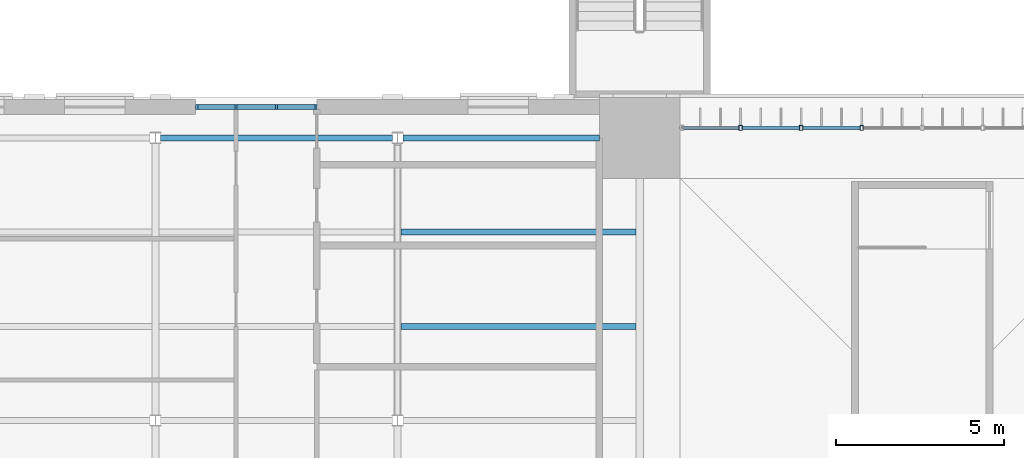
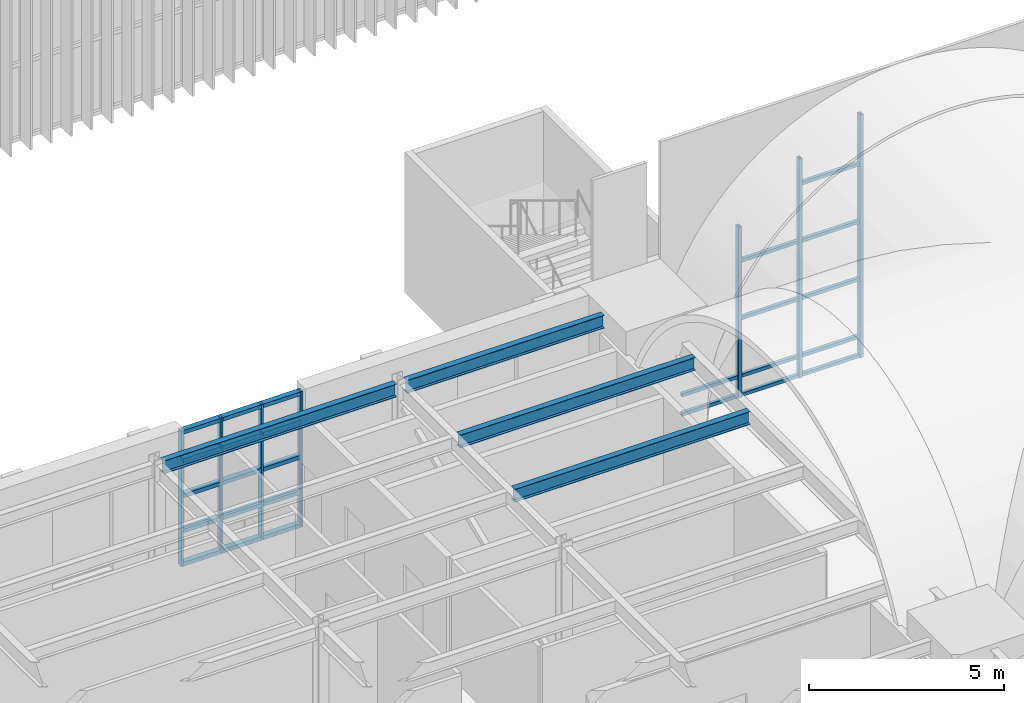
# One storey, part 27 of 169: 33 members, 4 beams, 2 elements without a shape of their own.
"""IFC4 building model written with IfcOpenShell, lengths in metres."""

import ifcopenshell
import ifcopenshell.guid

model = None  # the IFC model being written
_history = None  # IfcOwnerHistory: only IFC2X3 demands one
_inside = {}  # id of a spatial element -> (the spatial element, [elements in it])
_under = {}  # id of a project, library or spatial element -> (it, [spatial elements below it])
_declared = {}  # id of a project -> (the project, [libraries it declares])
_typed = {}  # id of a type object -> (the type object, [elements of that type])
_made_of = {}  # id of a material, layer set ... -> (it, [elements and type objects made of it])


def new_model(schema):
    """Start an empty IFC model of exactly this schema.

    Asked for "IFC4X3", IfcOpenShell would pick the latest addendum, in which some entities
    have other attributes; the version numbers below select the first issue.
    IFC2X3 requires an IfcOwnerHistory on every rooted entity: one is made here for all.
    """
    global model, _history
    if schema == "IFC4X3":
        model = ifcopenshell.file(schema_version=(4, 3, 0, 0))
    else:
        model = ifcopenshell.file(schema=schema)
    _inside.clear()
    _under.clear()
    _declared.clear()
    _typed.clear()
    _made_of.clear()
    _history = None
    if model.schema == "IFC2X3":
        org = make("IfcOrganization", Name="unknown")
        user = make(
            "IfcPersonAndOrganization",
            ThePerson=make("IfcPerson", FamilyName="unknown"),
            TheOrganization=org,
        )
        app = make(
            "IfcApplication",
            ApplicationDeveloper=org,
            Version="unknown",
            ApplicationFullName="unknown",
            ApplicationIdentifier="unknown",
        )
        _history = make(
            "IfcOwnerHistory",
            OwningUser=user,
            OwningApplication=app,
            ChangeAction="ADDED",
            CreationDate=0,
        )
    return model


def make(cls, **values):
    """One entity of the class cls with the attributes given. An attribute that is None is left unset."""
    return model.create_entity(
        cls, **{name: value for name, value in values.items() if value is not None}
    )


def rooted(cls, **values):
    """An entity with a GlobalId (a new one), such as an element, a storey or a relation."""
    return make(cls, GlobalId=ifcopenshell.guid.new(), OwnerHistory=_history, **values)


def si_unit(unit_type, name, prefix=None):
    """IfcSIUnit, for example si_unit("LENGTHUNIT", "METRE", prefix="MILLI")."""
    return make("IfcSIUnit", UnitType=unit_type, Prefix=prefix, Name=name)


def assignment(units):
    """IfcUnitAssignment: the units of a project."""
    return None if units is None else make("IfcUnitAssignment", Units=units)


def point(xyz):
    """IfcCartesianPoint."""
    return None if xyz is None else make("IfcCartesianPoint", Coordinates=xyz)


def direction(xyz):
    """IfcDirection."""
    return None if xyz is None else make("IfcDirection", DirectionRatios=xyz)


def frame(location, z_axis=None, x_axis=None):
    """IfcAxis2Placement3D, a coordinate frame: its origin and axes. An axis left out is left unset."""
    return make(
        "IfcAxis2Placement3D",
        Location=point(location),
        Axis=direction(z_axis),
        RefDirection=direction(x_axis),
    )


def frame_2d(location, x_axis=None):
    """IfcAxis2Placement2D, a coordinate frame in the plane: its origin and x axis."""
    return make(
        "IfcAxis2Placement2D", Location=point(location), RefDirection=direction(x_axis)
    )


def origin():
    """The frame at (0, 0, 0) with its axes left unset."""
    return frame((0.0, 0.0, 0.0))


def origin_2d():
    """The frame at (0, 0) in the plane with its x axis left unset."""
    return frame_2d((0.0, 0.0))


def place(relative_to, where):
    """IfcLocalPlacement: puts the frame where relative to a parent placement (None: the world)."""
    return make(
        "IfcLocalPlacement", PlacementRelTo=relative_to, RelativePlacement=where
    )


def context(
    kind, dimensions, precision=None, world=None, true_north=None, identifier=None
):
    """IfcGeometricRepresentationContext, for example the 3D "Model" context."""
    return make(
        "IfcGeometricRepresentationContext",
        ContextIdentifier=identifier,
        ContextType=kind,
        CoordinateSpaceDimension=dimensions,
        Precision=precision,
        WorldCoordinateSystem=world,
        TrueNorth=true_north,
    )


def subcontext(parent, identifier, kind, view, scale=None):
    """IfcGeometricRepresentationSubContext, for example "Body" below "Model"."""
    return make(
        "IfcGeometricRepresentationSubContext",
        ContextIdentifier=identifier,
        ContextType=kind,
        ParentContext=parent,
        TargetScale=scale,
        TargetView=view,
    )


def project(units=None, contexts=None):
    """IfcProject with its units and contexts."""
    return rooted(
        "IfcProject",
        Name="project",
        RepresentationContexts=contexts,
        UnitsInContext=assignment(units),
    )


def spatial(cls, under=None, at=None, **own):
    """A site, building, storey or space (cls), placed at a placement, below another one or the project."""
    s = rooted(cls, ObjectPlacement=at, **own)
    if under is not None:
        _under.setdefault(under.id(), (under, []))[1].append(s)
    return s


def profile(cls, at=None, kind="AREA", **sizes):
    """A parametric profile (cls). Its sizes go by their IFC names, for example OverallWidth=200.0."""
    return make(cls, ProfileType=kind, Position=at, **sizes)


def rectangle(**sizes):
    """IfcRectangleProfileDef."""
    return profile("IfcRectangleProfileDef", **sizes)


def hollow_rectangle(**sizes):
    """IfcRectangleHollowProfileDef."""
    return profile("IfcRectangleHollowProfileDef", **sizes)


def i_section(**sizes):
    """IfcIShapeProfileDef."""
    return profile("IfcIShapeProfileDef", **sizes)


def extrude(swept, where, along, depth):
    """IfcExtrudedAreaSolid: the profile swept, set in the frame where, extruded along a direction by depth."""
    return make(
        "IfcExtrudedAreaSolid",
        SweptArea=swept,
        Position=where,
        ExtrudedDirection=direction(along),
        Depth=depth,
    )


def shape(context_of_items, identifier, shape_type, items):
    """IfcShapeRepresentation: the items that make up one representation, for example the "Body"."""
    return make(
        "IfcShapeRepresentation",
        ContextOfItems=context_of_items,
        RepresentationIdentifier=identifier,
        RepresentationType=shape_type,
        Items=items,
    )


def material(Name=None, Category=None):
    """IfcMaterial."""
    return make("IfcMaterial", Name=Name, Category=Category)


def layer(
    of_material, thickness, ventilated=None, Name=None, Category=None, Priority=None
):
    """IfcMaterialLayer: one layer of a wall or slab, of a material (None: an air gap)."""
    return make(
        "IfcMaterialLayer",
        Material=of_material,
        LayerThickness=thickness,
        IsVentilated=ventilated,
        Name=Name,
        Category=Category,
        Priority=Priority,
    )


def layer_set(layers, Name=None):
    """IfcMaterialLayerSet."""
    return make("IfcMaterialLayerSet", MaterialLayers=layers, LayerSetName=Name)


def material_profile(
    of_material, cross_section, Name=None, Category=None, Priority=None
):
    """IfcMaterialProfile: a cross section and its material."""
    return make(
        "IfcMaterialProfile",
        Name=Name,
        Material=of_material,
        Profile=cross_section,
        Priority=Priority,
        Category=Category,
    )


def profile_set(profiles, Name=None, composite=None):
    """IfcMaterialProfileSet."""
    return make(
        "IfcMaterialProfileSet",
        Name=Name,
        MaterialProfiles=profiles,
        CompositeProfile=composite,
    )


def made_of(thing, what):
    """Note that an element or type object is made of a material, layer set ...; save() writes the relation."""
    if what is not None:
        _made_of.setdefault(what.id(), (what, []))[1].append(thing)
    return thing


def type_object(cls, material=None, **own):
    """A type object (cls), such as IfcWallType, which elements share."""
    return made_of(rooted(cls, **own), material)


def element(
    cls,
    number,
    at=None,
    inside=None,
    cuts=None,
    type_object=None,
    material=None,
    context=None,
    identifier="Body",
    shape_type=None,
    held_by="IfcProductDefinitionShape",
    body=None,
    shapes=None,
    **own,
):
    """One element of the class cls, such as IfcWall. Its Tag is "e" and its number.

    at: its placement. inside: the storey or other place that contains it. cuts: it is an
    opening in that element (IfcRelVoidsElement). A single representation is given by context,
    identifier, shape_type and body (its items); several are given by shapes. held_by: the class
    of the entity that holds the representations. save() writes the other relations.
    """
    e = rooted(cls, Tag="e%d" % number, ObjectPlacement=at, **own)
    if body is not None:
        shapes = [shape(context, identifier, shape_type, body)]
    if shapes is not None:
        e.Representation = make(held_by, Representations=shapes)
    if inside is not None:
        _inside.setdefault(inside.id(), (inside, []))[1].append(e)
    if cuts is not None:
        rooted(
            "IfcRelVoidsElement", RelatingBuildingElement=cuts, RelatedOpeningElement=e
        )
    if type_object is not None:
        _typed.setdefault(type_object.id(), (type_object, []))[1].append(e)
    return made_of(e, material)


def aggregate(whole, parts):
    """IfcRelAggregates: a whole, such as a stair, and the parts it consists of."""
    return rooted("IfcRelAggregates", RelatingObject=whole, RelatedObjects=parts)


def save(model, path):
    """Write the relations noted so far, then the file.

    IfcRelAggregates (storeys below a building ...), IfcRelContainedInSpatialStructure (elements
    in a storey), IfcRelDefinesByType, IfcRelAssociatesMaterial and IfcRelDeclares: one each for
    every whole, place, type object, material and project.
    """
    for whole, parts in _under.values():
        aggregate(whole, parts)
    for where, things in _inside.values():
        rooted(
            "IfcRelContainedInSpatialStructure",
            RelatedElements=things,
            RelatingStructure=where,
        )
    for kind, things in _typed.values():
        rooted("IfcRelDefinesByType", RelatedObjects=things, RelatingType=kind)
    for what, things in _made_of.values():
        rooted("IfcRelAssociatesMaterial", RelatedObjects=things, RelatingMaterial=what)
    for by, libraries in _declared.values():
        rooted("IfcRelDeclares", RelatingContext=by, RelatedDefinitions=libraries)
    model.write(path)


model = new_model("IFC4")

# Units and contexts
model_context = context("Model", 3, precision=1e-05, world=origin(), true_north=direction((0.0, 1.0)))
body_context = subcontext(model_context, "Body", "Model", "MODEL_VIEW")
ifc_project = project(units=[si_unit("LENGTHUNIT", "METRE"), si_unit("AREAUNIT", "SQUARE_METRE"), si_unit("VOLUMEUNIT", "CUBIC_METRE"), si_unit("PLANEANGLEUNIT", "RADIAN"), si_unit("MASSUNIT", "GRAM", prefix="KILO")], contexts=[model_context])

# Site, building, storey
site_placement = place(None, origin())
site = spatial("IfcSite", under=ifc_project, at=site_placement, CompositionType="ELEMENT")
building_placement = place(site_placement, origin())
building = spatial("IfcBuilding", under=site, at=building_placement, Name="Verrick Yard Athletic Hall", CompositionType="ELEMENT")
storey_placement = place(building_placement, frame((0.0, 0.0, 4.39990234375)))
storey = spatial("IfcBuildingStorey", under=building, at=storey_placement, Name="L01", CompositionType="ELEMENT", Elevation=4.39990234375)

# Curtain wall, members
ifc_material_1 = material(Name="Aluminium and glass curtain wall", Category="aluminium")
ifc_layer_1 = layer(ifc_material_1, 0.14990234375)
ifc_layer_set_1 = layer_set([ifc_layer_1], Name="Arcade glazing arch")
curtain_wall_type_1 = type_object("IfcCurtainWallType", Name="Arcade glazing arch", PredefinedType="NOTDEFINED", material=ifc_layer_set_1)
curtain_wall_1_placement = place(storey_placement, origin())
curtain_wall_1 = element("IfcCurtainWall", 1, at=curtain_wall_1_placement, inside=storey, type_object=curtain_wall_type_1, Name="Arcade glazing N1", PredefinedType="NOTDEFINED")
ifc_material_2 = material(Name="Structural steel HSS Class C 350W (CSA G40.20/G40.21)", Category="steel")
ifc_material_profile_1 = material_profile(ifc_material_2, hollow_rectangle(XDim=0.1015625, YDim=0.15234375, WallThickness=0.008056640625, at=origin_2d()), Name="HSS152x102x7.9")
ifc_profile_set_1 = profile_set([ifc_material_profile_1], Name="Structural steel HSS Class C 350W (CSA G40.20/G40.21)")
member_type_1 = type_object("IfcMemberType", Name="Curtain wall mullion HSS152x102x7.9", PredefinedType="MULLION", material=ifc_profile_set_1)
member_1_placement = place(storey_placement, frame((43.0, 53.10009765625, 0.0), z_axis=(0.0, 0.0, 1.0), x_axis=(1.0, 0.0, 0.0)))
member_1 = element("IfcMember", 2, at=member_1_placement, type_object=member_type_1, Name="Arcade glazing N1 mullion 2", PredefinedType="MULLION", context=body_context, shape_type="SweptSolid", body=[
    extrude(hollow_rectangle(XDim=0.1015625, YDim=0.15234375, WallThickness=0.008056640625, at=origin_2d()), origin(), (0.0, 0.0, 1.0), 5.351806640625),
])
member_2_placement = place(storey_placement, frame((44.800048828125, 53.10009765625, 0.0), z_axis=(0.0, 0.0, 1.0), x_axis=(1.0, 0.0, 0.0)))
member_2 = element("IfcMember", 3, at=member_2_placement, type_object=member_type_1, Name="Arcade glazing N1 mullion 3", PredefinedType="MULLION", context=body_context, shape_type="SweptSolid", body=[
    extrude(hollow_rectangle(XDim=0.1015625, YDim=0.15234375, WallThickness=0.008056640625, at=origin_2d()), origin(), (0.0, 0.0, 1.0), 6.8544921875),
])
member_3_placement = place(storey_placement, frame((46.60009765625, 53.10009765625, 0.0), z_axis=(0.0, 0.0, 1.0), x_axis=(1.0, 0.0, 0.0)))
member_3 = element("IfcMember", 4, at=member_3_placement, type_object=member_type_1, Name="Arcade glazing N1 mullion 4", PredefinedType="MULLION", context=body_context, shape_type="SweptSolid", body=[
    extrude(hollow_rectangle(XDim=0.1015625, YDim=0.15234375, WallThickness=0.008056640625, at=origin_2d()), origin(), (0.0, 0.0, 1.0), 7.607666015625),
])
ifc_material_profile_2 = material_profile(ifc_material_2, hollow_rectangle(XDim=0.1015625, YDim=0.1015625, WallThickness=0.00634765625, at=origin_2d()), Name="HSS102x102x6.4")
ifc_profile_set_2 = profile_set([ifc_material_profile_2], Name="Structural steel HSS Class C 350W (CSA G40.20/G40.21)")
member_type_2 = type_object("IfcMemberType", Name="Curtain wall transom HSS102x102x6.4", PredefinedType="USERDEFINED", material=ifc_profile_set_2)
member_4_placement = place(storey_placement, frame((41.302001953125, 53.10009765625, 0.05078125), z_axis=(1.0, 0.0, 0.0), x_axis=(0.0, 1.0, 0.0)))
member_4 = element("IfcMember", 5, at=member_4_placement, type_object=member_type_2, Name="Arcade glazing N1 transom 1", ObjectType="TRANSOM", PredefinedType="USERDEFINED", context=body_context, shape_type="SweptSolid", body=[
    extrude(hollow_rectangle(XDim=0.1015625, YDim=0.1015625, WallThickness=0.00634765625, at=origin_2d()), origin(), (0.0, 0.0, 1.0), 1.647216796875),
])
member_5_placement = place(storey_placement, frame((41.302001953125, 53.10009765625, 0.650146484375), z_axis=(1.0, 0.0, 0.0), x_axis=(0.0, 1.0, 0.0)))
member_5 = element("IfcMember", 6, at=member_5_placement, type_object=member_type_2, Name="Arcade glazing N1 transom 2", ObjectType="TRANSOM", PredefinedType="USERDEFINED", context=body_context, shape_type="SweptSolid", body=[
    extrude(hollow_rectangle(XDim=0.1015625, YDim=0.1015625, WallThickness=0.00634765625, at=origin_2d()), origin(), (0.0, 0.0, 1.0), 1.647216796875),
])
member_6_placement = place(storey_placement, frame((43.05078125, 53.10009765625, 0.05078125), z_axis=(1.0, 0.0, 0.0), x_axis=(0.0, 1.0, 0.0)))
member_6 = element("IfcMember", 7, at=member_6_placement, type_object=member_type_2, Name="Arcade glazing N1 transom 3", ObjectType="TRANSOM", PredefinedType="USERDEFINED", context=body_context, shape_type="SweptSolid", body=[
    extrude(hollow_rectangle(XDim=0.1015625, YDim=0.1015625, WallThickness=0.00634765625, at=origin_2d()), origin(), (0.0, 0.0, 1.0), 1.698486328125),
])
member_7_placement = place(storey_placement, frame((43.05078125, 53.10009765625, 0.650146484375), z_axis=(1.0, 0.0, 0.0), x_axis=(0.0, 1.0, 0.0)))
member_7 = element("IfcMember", 8, at=member_7_placement, type_object=member_type_2, Name="Arcade glazing N1 transom 4", ObjectType="TRANSOM", PredefinedType="USERDEFINED", context=body_context, shape_type="SweptSolid", body=[
    extrude(hollow_rectangle(XDim=0.1015625, YDim=0.1015625, WallThickness=0.00634765625, at=origin_2d()), origin(), (0.0, 0.0, 1.0), 1.698486328125),
])
member_8_placement = place(storey_placement, frame((43.05078125, 53.10009765625, 2.4501953125), z_axis=(1.0, 0.0, 0.0), x_axis=(0.0, 1.0, 0.0)))
member_8 = element("IfcMember", 9, at=member_8_placement, type_object=member_type_2, Name="Arcade glazing N1 transom 5", ObjectType="TRANSOM", PredefinedType="USERDEFINED", context=body_context, shape_type="SweptSolid", body=[
    extrude(hollow_rectangle(XDim=0.1015625, YDim=0.1015625, WallThickness=0.00634765625, at=origin_2d()), origin(), (0.0, 0.0, 1.0), 1.698486328125),
])
member_9_placement = place(storey_placement, frame((43.05078125, 53.10009765625, 4.25), z_axis=(1.0, 0.0, 0.0), x_axis=(0.0, 1.0, 0.0)))
member_9 = element("IfcMember", 10, at=member_9_placement, type_object=member_type_2, Name="Arcade glazing N1 transom 6", ObjectType="TRANSOM", PredefinedType="USERDEFINED", context=body_context, shape_type="SweptSolid", body=[
    extrude(hollow_rectangle(XDim=0.1015625, YDim=0.1015625, WallThickness=0.00634765625, at=origin_2d()), origin(), (0.0, 0.0, 1.0), 1.698486328125),
])
member_10_placement = place(storey_placement, frame((44.850830078125, 53.10009765625, 0.05078125), z_axis=(1.0, 0.0, 0.0), x_axis=(0.0, 1.0, 0.0)))
member_10 = element("IfcMember", 11, at=member_10_placement, type_object=member_type_2, Name="Arcade glazing N1 transom 7", ObjectType="TRANSOM", PredefinedType="USERDEFINED", context=body_context, shape_type="SweptSolid", body=[
    extrude(hollow_rectangle(XDim=0.1015625, YDim=0.1015625, WallThickness=0.00634765625, at=origin_2d()), origin(), (0.0, 0.0, 1.0), 1.698486328125),
])
member_11_placement = place(storey_placement, frame((44.850830078125, 53.10009765625, 0.650146484375), z_axis=(1.0, 0.0, 0.0), x_axis=(0.0, 1.0, 0.0)))
member_11 = element("IfcMember", 12, at=member_11_placement, type_object=member_type_2, Name="Arcade glazing N1 transom 8", ObjectType="TRANSOM", PredefinedType="USERDEFINED", context=body_context, shape_type="SweptSolid", body=[
    extrude(hollow_rectangle(XDim=0.1015625, YDim=0.1015625, WallThickness=0.00634765625, at=origin_2d()), origin(), (0.0, 0.0, 1.0), 1.698486328125),
])
member_12_placement = place(storey_placement, frame((44.850830078125, 53.10009765625, 2.4501953125), z_axis=(1.0, 0.0, 0.0), x_axis=(0.0, 1.0, 0.0)))
member_12 = element("IfcMember", 13, at=member_12_placement, type_object=member_type_2, Name="Arcade glazing N1 transom 9", ObjectType="TRANSOM", PredefinedType="USERDEFINED", context=body_context, shape_type="SweptSolid", body=[
    extrude(hollow_rectangle(XDim=0.1015625, YDim=0.1015625, WallThickness=0.00634765625, at=origin_2d()), origin(), (0.0, 0.0, 1.0), 1.698486328125),
])
member_13_placement = place(storey_placement, frame((44.850830078125, 53.10009765625, 4.25), z_axis=(1.0, 0.0, 0.0), x_axis=(0.0, 1.0, 0.0)))
member_13 = element("IfcMember", 14, at=member_13_placement, type_object=member_type_2, Name="Arcade glazing N1 transom 10", ObjectType="TRANSOM", PredefinedType="USERDEFINED", context=body_context, shape_type="SweptSolid", body=[
    extrude(hollow_rectangle(XDim=0.1015625, YDim=0.1015625, WallThickness=0.00634765625, at=origin_2d()), origin(), (0.0, 0.0, 1.0), 1.698486328125),
])
member_14_placement = place(storey_placement, frame((44.850830078125, 53.10009765625, 6.050048828125), z_axis=(1.0, 0.0, 0.0), x_axis=(0.0, 1.0, 0.0)))
member_14 = element("IfcMember", 15, at=member_14_placement, type_object=member_type_2, Name="Arcade glazing N1 transom 11", ObjectType="TRANSOM", PredefinedType="USERDEFINED", context=body_context, shape_type="SweptSolid", body=[
    extrude(hollow_rectangle(XDim=0.1015625, YDim=0.1015625, WallThickness=0.00634765625, at=origin_2d()), origin(), (0.0, 0.0, 1.0), 1.698486328125),
])
aggregate(curtain_wall_1, [member_1, member_2, member_3, member_4, member_5, member_6, member_7, member_8, member_9, member_10, member_11, member_12, member_13, member_14])

ifc_material_3 = material(Name="Anodised aluminium", Category="aluminium")
ifc_layer_2 = layer(ifc_material_3, 0.199951171875)
ifc_layer_set_2 = layer_set([ifc_layer_2], Name="Front glazing")
curtain_wall_type_2 = type_object("IfcCurtainWallType", Name="Front glazing", PredefinedType="NOTDEFINED", material=ifc_layer_set_2)
curtain_wall_2_placement = place(storey_placement, origin())
curtain_wall_2 = element("IfcCurtainWall", 16, at=curtain_wall_2_placement, inside=storey, type_object=curtain_wall_type_2, Name="ENVB-WN-L01-CW268", PredefinedType="NOTDEFINED")
ifc_material_profile_3 = material_profile(ifc_material_3, rectangle(XDim=0.159912109375, YDim=0.06005859375, at=origin_2d()), Name="CW mullion 60x160")
ifc_profile_set_3 = profile_set([ifc_material_profile_3], Name="Anodised aluminium")
member_type_3 = type_object("IfcMemberType", Name="Front glazing mullion 60x160", PredefinedType="MULLION", material=ifc_profile_set_3)
member_15_placement = place(storey_placement, frame((26.830078125, 53.71875, 0.0), z_axis=(0.0, 0.0, 1.0), x_axis=(0.0, 1.0, 0.0)))
member_15 = element("IfcMember", 17, at=member_15_placement, type_object=member_type_3, Name="ENVB-WN-L01-CW268/M00", PredefinedType="MULLION", context=body_context, shape_type="SweptSolid", body=[
    extrude(rectangle(XDim=0.159912109375, YDim=0.06005859375, at=origin_2d()), origin(), (0.0, 0.0, 1.0), 4.25),
])
member_16_placement = place(storey_placement, frame((28.0, 53.71875, 0.0), z_axis=(0.0, 0.0, 1.0), x_axis=(0.0, 1.0, 0.0)))
member_16 = element("IfcMember", 18, at=member_16_placement, type_object=member_type_3, Name="ENVB-WN-L01-CW268/M01", PredefinedType="MULLION", context=body_context, shape_type="SweptSolid", body=[
    extrude(rectangle(XDim=0.159912109375, YDim=0.06005859375, at=origin_2d()), origin(), (0.0, 0.0, 1.0), 4.25),
])
member_17_placement = place(storey_placement, frame((29.199951171875, 53.71875, 0.0), z_axis=(0.0, 0.0, 1.0), x_axis=(0.0, 1.0, 0.0)))
member_17 = element("IfcMember", 19, at=member_17_placement, type_object=member_type_3, Name="ENVB-WN-L01-CW268/M02", PredefinedType="MULLION", context=body_context, shape_type="SweptSolid", body=[
    extrude(rectangle(XDim=0.159912109375, YDim=0.06005859375, at=origin_2d()), origin(), (0.0, 0.0, 1.0), 4.25),
])
member_18_placement = place(storey_placement, frame((30.3701171875, 53.71875, 0.0), z_axis=(0.0, 0.0, 1.0), x_axis=(0.0, 1.0, 0.0)))
member_18 = element("IfcMember", 20, at=member_18_placement, type_object=member_type_3, Name="ENVB-WN-L01-CW268/M03", PredefinedType="MULLION", context=body_context, shape_type="SweptSolid", body=[
    extrude(rectangle(XDim=0.159912109375, YDim=0.06005859375, at=origin_2d()), origin(), (0.0, 0.0, 1.0), 4.25),
])
ifc_material_profile_4 = material_profile(ifc_material_3, rectangle(XDim=0.159912109375, YDim=0.1201171875, at=origin_2d()), Name="CW transom 160x120")
ifc_profile_set_4 = profile_set([ifc_material_profile_4], Name="Anodised aluminium")
member_type_4 = type_object("IfcMemberType", Name="Front glazing transom 160x120", PredefinedType="USERDEFINED", material=ifc_profile_set_4)
member_19_placement = place(storey_placement, frame((26.860107421875, 53.71875, 0.06005859375), z_axis=(1.0, 0.0, 0.0), x_axis=(0.0, 1.0, 0.0)))
member_19 = element("IfcMember", 21, at=member_19_placement, type_object=member_type_4, Name="ENVB-WN-L01-CW268/T00-00", ObjectType="TRANSOM", PredefinedType="USERDEFINED", context=body_context, shape_type="SweptSolid", body=[
    extrude(rectangle(XDim=0.159912109375, YDim=0.1201171875, at=origin_2d()), origin(), (0.0, 0.0, 1.0), 1.10986328125),
])
member_20_placement = place(storey_placement, frame((26.860107421875, 53.71875, 1.10009765625), z_axis=(1.0, 0.0, 0.0), x_axis=(0.0, 1.0, 0.0)))
member_20 = element("IfcMember", 22, at=member_20_placement, type_object=member_type_4, Name="ENVB-WN-L01-CW268/T00-01", ObjectType="TRANSOM", PredefinedType="USERDEFINED", context=body_context, shape_type="SweptSolid", body=[
    extrude(rectangle(XDim=0.159912109375, YDim=0.1201171875, at=origin_2d()), origin(), (0.0, 0.0, 1.0), 1.10986328125),
])
member_21_placement = place(storey_placement, frame((26.860107421875, 53.71875, 2.2001953125), z_axis=(1.0, 0.0, 0.0), x_axis=(0.0, 1.0, 0.0)))
member_21 = element("IfcMember", 23, at=member_21_placement, type_object=member_type_4, Name="ENVB-WN-L01-CW268/T00-02", ObjectType="TRANSOM", PredefinedType="USERDEFINED", context=body_context, shape_type="SweptSolid", body=[
    extrude(rectangle(XDim=0.159912109375, YDim=0.1201171875, at=origin_2d()), origin(), (0.0, 0.0, 1.0), 1.10986328125),
])
member_22_placement = place(storey_placement, frame((26.860107421875, 53.71875, 3.300048828125), z_axis=(1.0, 0.0, 0.0), x_axis=(0.0, 1.0, 0.0)))
member_22 = element("IfcMember", 24, at=member_22_placement, type_object=member_type_4, Name="ENVB-WN-L01-CW268/T00-03", ObjectType="TRANSOM", PredefinedType="USERDEFINED", context=body_context, shape_type="SweptSolid", body=[
    extrude(rectangle(XDim=0.159912109375, YDim=0.1201171875, at=origin_2d()), origin(), (0.0, 0.0, 1.0), 1.10986328125),
])
member_23_placement = place(storey_placement, frame((26.860107421875, 53.71875, 4.190185546875), z_axis=(1.0, 0.0, 0.0), x_axis=(0.0, 1.0, 0.0)))
member_23 = element("IfcMember", 25, at=member_23_placement, type_object=member_type_4, Name="ENVB-WN-L01-CW268/T00-04", ObjectType="TRANSOM", PredefinedType="USERDEFINED", context=body_context, shape_type="SweptSolid", body=[
    extrude(rectangle(XDim=0.159912109375, YDim=0.1201171875, at=origin_2d()), origin(), (0.0, 0.0, 1.0), 1.10986328125),
])
member_24_placement = place(storey_placement, frame((28.030029296875, 53.71875, 0.06005859375), z_axis=(1.0, 0.0, 0.0), x_axis=(0.0, 1.0, 0.0)))
member_24 = element("IfcMember", 26, at=member_24_placement, type_object=member_type_4, Name="ENVB-WN-L01-CW268/T01-00", ObjectType="TRANSOM", PredefinedType="USERDEFINED", context=body_context, shape_type="SweptSolid", body=[
    extrude(rectangle(XDim=0.159912109375, YDim=0.1201171875, at=origin_2d()), origin(), (0.0, 0.0, 1.0), 1.139892578125),
])
member_25_placement = place(storey_placement, frame((28.030029296875, 53.71875, 1.10009765625), z_axis=(1.0, 0.0, 0.0), x_axis=(0.0, 1.0, 0.0)))
member_25 = element("IfcMember", 27, at=member_25_placement, type_object=member_type_4, Name="ENVB-WN-L01-CW268/T01-01", ObjectType="TRANSOM", PredefinedType="USERDEFINED", context=body_context, shape_type="SweptSolid", body=[
    extrude(rectangle(XDim=0.159912109375, YDim=0.1201171875, at=origin_2d()), origin(), (0.0, 0.0, 1.0), 1.139892578125),
])
member_26_placement = place(storey_placement, frame((28.030029296875, 53.71875, 2.2001953125), z_axis=(1.0, 0.0, 0.0), x_axis=(0.0, 1.0, 0.0)))
member_26 = element("IfcMember", 28, at=member_26_placement, type_object=member_type_4, Name="ENVB-WN-L01-CW268/T01-02", ObjectType="TRANSOM", PredefinedType="USERDEFINED", context=body_context, shape_type="SweptSolid", body=[
    extrude(rectangle(XDim=0.159912109375, YDim=0.1201171875, at=origin_2d()), origin(), (0.0, 0.0, 1.0), 1.139892578125),
])
member_27_placement = place(storey_placement, frame((28.030029296875, 53.71875, 3.300048828125), z_axis=(1.0, 0.0, 0.0), x_axis=(0.0, 1.0, 0.0)))
member_27 = element("IfcMember", 29, at=member_27_placement, type_object=member_type_4, Name="ENVB-WN-L01-CW268/T01-03", ObjectType="TRANSOM", PredefinedType="USERDEFINED", context=body_context, shape_type="SweptSolid", body=[
    extrude(rectangle(XDim=0.159912109375, YDim=0.1201171875, at=origin_2d()), origin(), (0.0, 0.0, 1.0), 1.139892578125),
])
member_28_placement = place(storey_placement, frame((28.030029296875, 53.71875, 4.190185546875), z_axis=(1.0, 0.0, 0.0), x_axis=(0.0, 1.0, 0.0)))
member_28 = element("IfcMember", 30, at=member_28_placement, type_object=member_type_4, Name="ENVB-WN-L01-CW268/T01-04", ObjectType="TRANSOM", PredefinedType="USERDEFINED", context=body_context, shape_type="SweptSolid", body=[
    extrude(rectangle(XDim=0.159912109375, YDim=0.1201171875, at=origin_2d()), origin(), (0.0, 0.0, 1.0), 1.139892578125),
])
member_29_placement = place(storey_placement, frame((29.22998046875, 53.71875, 0.06005859375), z_axis=(1.0, 0.0, 0.0), x_axis=(0.0, 1.0, 0.0)))
member_29 = element("IfcMember", 31, at=member_29_placement, type_object=member_type_4, Name="ENVB-WN-L01-CW268/T02-00", ObjectType="TRANSOM", PredefinedType="USERDEFINED", context=body_context, shape_type="SweptSolid", body=[
    extrude(rectangle(XDim=0.159912109375, YDim=0.1201171875, at=origin_2d()), origin(), (0.0, 0.0, 1.0), 1.110107421875),
])
member_30_placement = place(storey_placement, frame((29.22998046875, 53.71875, 1.10009765625), z_axis=(1.0, 0.0, 0.0), x_axis=(0.0, 1.0, 0.0)))
member_30 = element("IfcMember", 32, at=member_30_placement, type_object=member_type_4, Name="ENVB-WN-L01-CW268/T02-01", ObjectType="TRANSOM", PredefinedType="USERDEFINED", context=body_context, shape_type="SweptSolid", body=[
    extrude(rectangle(XDim=0.159912109375, YDim=0.1201171875, at=origin_2d()), origin(), (0.0, 0.0, 1.0), 1.110107421875),
])
member_31_placement = place(storey_placement, frame((29.22998046875, 53.71875, 2.2001953125), z_axis=(1.0, 0.0, 0.0), x_axis=(0.0, 1.0, 0.0)))
member_31 = element("IfcMember", 33, at=member_31_placement, type_object=member_type_4, Name="ENVB-WN-L01-CW268/T02-02", ObjectType="TRANSOM", PredefinedType="USERDEFINED", context=body_context, shape_type="SweptSolid", body=[
    extrude(rectangle(XDim=0.159912109375, YDim=0.1201171875, at=origin_2d()), origin(), (0.0, 0.0, 1.0), 1.110107421875),
])
member_32_placement = place(storey_placement, frame((29.22998046875, 53.71875, 3.300048828125), z_axis=(1.0, 0.0, 0.0), x_axis=(0.0, 1.0, 0.0)))
member_32 = element("IfcMember", 34, at=member_32_placement, type_object=member_type_4, Name="ENVB-WN-L01-CW268/T02-03", ObjectType="TRANSOM", PredefinedType="USERDEFINED", context=body_context, shape_type="SweptSolid", body=[
    extrude(rectangle(XDim=0.159912109375, YDim=0.1201171875, at=origin_2d()), origin(), (0.0, 0.0, 1.0), 1.110107421875),
])
member_33_placement = place(storey_placement, frame((29.22998046875, 53.71875, 4.190185546875), z_axis=(1.0, 0.0, 0.0), x_axis=(0.0, 1.0, 0.0)))
member_33 = element("IfcMember", 35, at=member_33_placement, type_object=member_type_4, Name="ENVB-WN-L01-CW268/T02-04", ObjectType="TRANSOM", PredefinedType="USERDEFINED", context=body_context, shape_type="SweptSolid", body=[
    extrude(rectangle(XDim=0.159912109375, YDim=0.1201171875, at=origin_2d()), origin(), (0.0, 0.0, 1.0), 1.110107421875),
])
aggregate(curtain_wall_2, [member_15, member_16, member_17, member_18, member_19, member_20, member_21, member_22, member_23, member_24, member_25, member_26, member_27, member_28, member_29, member_30, member_31, member_32, member_33])

# Beams
ifc_material_4 = material(Name="Structural steel 350W (CSA G40.21)", Category="steel")
ifc_material_profile_5 = material_profile(ifc_material_4, i_section(OverallWidth=0.177978515625, OverallDepth=0.406982421875, WebThickness=0.0078125, FlangeThickness=0.0126953125, at=origin_2d()), Name="W410x60")
ifc_profile_set_5 = profile_set([ifc_material_profile_5], Name="Structural steel 350W (CSA G40.21)")
beam_type = type_object("IfcBeamType", Name="STR Wing floor beam W410x60", PredefinedType="BEAM", material=ifc_profile_set_5)
beam_1_placement = place(storey_placement, frame((25.75439453125, 52.800048828125, 4.046630859375), z_axis=(1.0, 0.0, 0.0), x_axis=(0.0, 1.0, 0.0)))
element("IfcBeam", 36, at=beam_1_placement, inside=storey, type_object=beam_type, Name="STR-B-W88-52.8-2", PredefinedType="BEAM", context=body_context, shape_type="SweptSolid", body=[
    extrude(i_section(OverallWidth=0.177978515625, OverallDepth=0.406982421875, WebThickness=0.0078125, FlangeThickness=0.0126953125, at=origin_2d()), origin(), (0.0, 0.0, 1.0), 6.89111328125),
])
beam_2_placement = place(storey_placement, frame((32.95458984375, 52.800048828125, 4.046630859375), z_axis=(1.0, 0.0, 0.0), x_axis=(0.0, 1.0, 0.0)))
element("IfcBeam", 37, at=beam_2_placement, inside=storey, type_object=beam_type, Name="STR-B-W88-52.8-3", PredefinedType="BEAM", context=body_context, shape_type="SweptSolid", body=[
    extrude(i_section(OverallWidth=0.177978515625, OverallDepth=0.406982421875, WebThickness=0.0078125, FlangeThickness=0.0126953125, at=origin_2d()), origin(), (0.0, 0.0, 1.0), 5.845458984375),
])
for number, where, z_axis, x_axis, name in (
    (38, (32.904541015625, 47.199951171875, 4.046630859375), (1.0, 0.0, 0.0), (0.0, 1.0, 0.0), "STR-B-W88-47.2-3"),
    (39, (32.904541015625, 50.0, 4.046630859375), (1.0, 0.0, 0.0), (0.0, 1.0, 0.0), "STR-B-W88-50-3"),
):
    element("IfcBeam", number, at=place(storey_placement, frame(where, z_axis=z_axis, x_axis=x_axis)), inside=storey, type_object=beam_type, Name=name, PredefinedType="BEAM", context=body_context, shape_type="SweptSolid", body=[
        extrude(i_section(OverallWidth=0.177978515625, OverallDepth=0.406982421875, WebThickness=0.0078125, FlangeThickness=0.0126953125, at=origin_2d()), origin(), (0.0, 0.0, 1.0), 6.9814453125),
    ])

save(model, "model.ifc")
